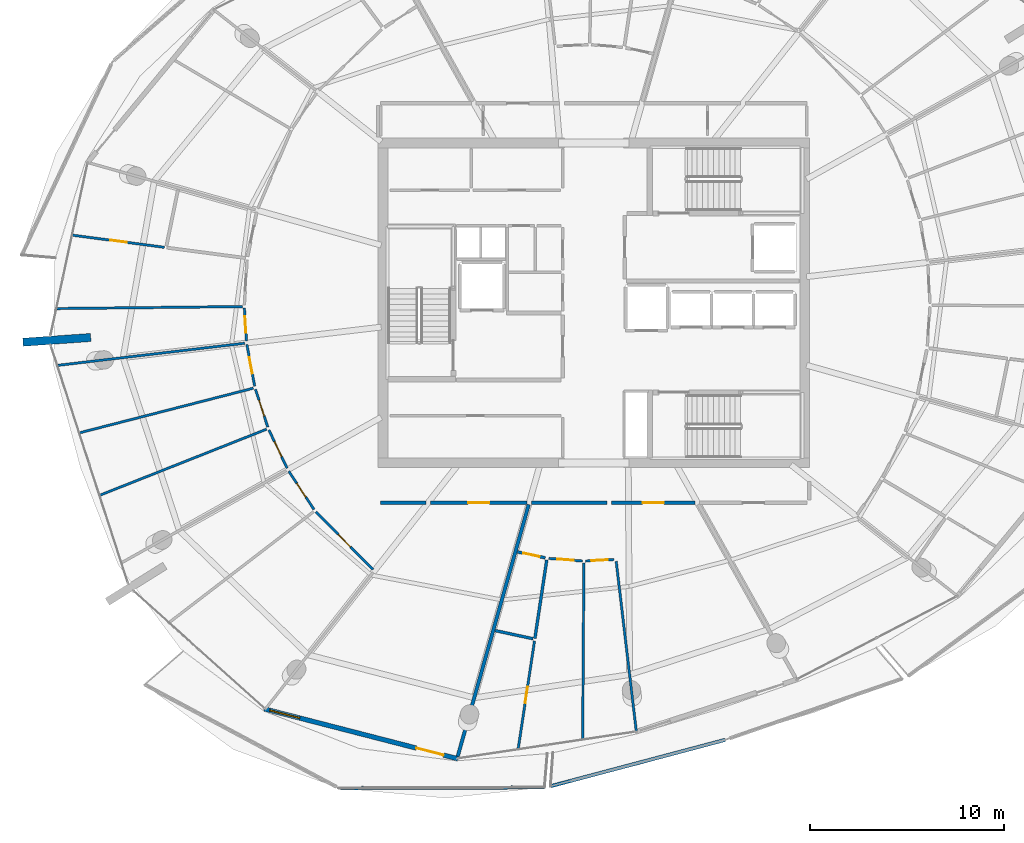
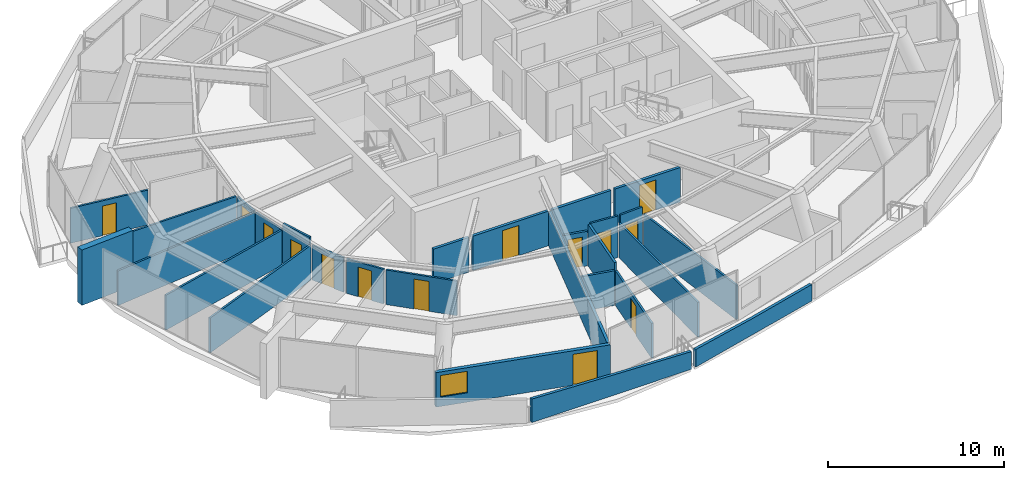
# One storey, part 14 of 24: 28 walls, 14 doors, 1 window, 15 openings.
"""IFC4 building model written with IfcOpenShell, lengths in metres."""

import ifcopenshell
import ifcopenshell.guid

model = None  # the IFC model being written
_history = None  # IfcOwnerHistory: only IFC2X3 demands one
_inside = {}  # id of a spatial element -> (the spatial element, [elements in it])
_under = {}  # id of a project, library or spatial element -> (it, [spatial elements below it])
_declared = {}  # id of a project -> (the project, [libraries it declares])
_typed = {}  # id of a type object -> (the type object, [elements of that type])
_made_of = {}  # id of a material, layer set ... -> (it, [elements and type objects made of it])


def new_model(schema):
    """Start an empty IFC model of exactly this schema.

    Asked for "IFC4X3", IfcOpenShell would pick the latest addendum, in which some entities
    have other attributes; the version numbers below select the first issue.
    IFC2X3 requires an IfcOwnerHistory on every rooted entity: one is made here for all.
    """
    global model, _history
    if schema == "IFC4X3":
        model = ifcopenshell.file(schema_version=(4, 3, 0, 0))
    else:
        model = ifcopenshell.file(schema=schema)
    _inside.clear()
    _under.clear()
    _declared.clear()
    _typed.clear()
    _made_of.clear()
    _history = None
    if model.schema == "IFC2X3":
        org = make("IfcOrganization", Name="unknown")
        user = make(
            "IfcPersonAndOrganization",
            ThePerson=make("IfcPerson", FamilyName="unknown"),
            TheOrganization=org,
        )
        app = make(
            "IfcApplication",
            ApplicationDeveloper=org,
            Version="unknown",
            ApplicationFullName="unknown",
            ApplicationIdentifier="unknown",
        )
        _history = make(
            "IfcOwnerHistory",
            OwningUser=user,
            OwningApplication=app,
            ChangeAction="ADDED",
            CreationDate=0,
        )
    return model


def make(cls, **values):
    """One entity of the class cls with the attributes given. An attribute that is None is left unset."""
    return model.create_entity(
        cls, **{name: value for name, value in values.items() if value is not None}
    )


def rooted(cls, **values):
    """An entity with a GlobalId (a new one), such as an element, a storey or a relation."""
    return make(cls, GlobalId=ifcopenshell.guid.new(), OwnerHistory=_history, **values)


def si_unit(unit_type, name, prefix=None):
    """IfcSIUnit, for example si_unit("LENGTHUNIT", "METRE", prefix="MILLI")."""
    return make("IfcSIUnit", UnitType=unit_type, Prefix=prefix, Name=name)


def assignment(units):
    """IfcUnitAssignment: the units of a project."""
    return None if units is None else make("IfcUnitAssignment", Units=units)


def point(xyz):
    """IfcCartesianPoint."""
    return None if xyz is None else make("IfcCartesianPoint", Coordinates=xyz)


def direction(xyz):
    """IfcDirection."""
    return None if xyz is None else make("IfcDirection", DirectionRatios=xyz)


def frame(location, z_axis=None, x_axis=None):
    """IfcAxis2Placement3D, a coordinate frame: its origin and axes. An axis left out is left unset."""
    return make(
        "IfcAxis2Placement3D",
        Location=point(location),
        Axis=direction(z_axis),
        RefDirection=direction(x_axis),
    )


def frame_2d(location, x_axis=None):
    """IfcAxis2Placement2D, a coordinate frame in the plane: its origin and x axis."""
    return make(
        "IfcAxis2Placement2D", Location=point(location), RefDirection=direction(x_axis)
    )


def origin():
    """The frame at (0, 0, 0) with its axes left unset."""
    return frame((0.0, 0.0, 0.0))


def place(relative_to, where):
    """IfcLocalPlacement: puts the frame where relative to a parent placement (None: the world)."""
    return make(
        "IfcLocalPlacement", PlacementRelTo=relative_to, RelativePlacement=where
    )


def context(
    kind, dimensions, precision=None, world=None, true_north=None, identifier=None
):
    """IfcGeometricRepresentationContext, for example the 3D "Model" context."""
    return make(
        "IfcGeometricRepresentationContext",
        ContextIdentifier=identifier,
        ContextType=kind,
        CoordinateSpaceDimension=dimensions,
        Precision=precision,
        WorldCoordinateSystem=world,
        TrueNorth=true_north,
    )


def subcontext(parent, identifier, kind, view, scale=None):
    """IfcGeometricRepresentationSubContext, for example "Body" below "Model"."""
    return make(
        "IfcGeometricRepresentationSubContext",
        ContextIdentifier=identifier,
        ContextType=kind,
        ParentContext=parent,
        TargetScale=scale,
        TargetView=view,
    )


def project(units=None, contexts=None):
    """IfcProject with its units and contexts."""
    return rooted(
        "IfcProject",
        Name="project",
        RepresentationContexts=contexts,
        UnitsInContext=assignment(units),
    )


def spatial(cls, under=None, at=None, **own):
    """A site, building, storey or space (cls), placed at a placement, below another one or the project."""
    s = rooted(cls, ObjectPlacement=at, **own)
    if under is not None:
        _under.setdefault(under.id(), (under, []))[1].append(s)
    return s


def polyline(points):
    """IfcPolyline through the points."""
    return make("IfcPolyline", Points=[point(p) for p in points])


def profile(cls, at=None, kind="AREA", **sizes):
    """A parametric profile (cls). Its sizes go by their IFC names, for example OverallWidth=200.0."""
    return make(cls, ProfileType=kind, Position=at, **sizes)


def rectangle(**sizes):
    """IfcRectangleProfileDef."""
    return profile("IfcRectangleProfileDef", **sizes)


def outline(outer, holes=None, kind="AREA"):
    """IfcArbitraryClosedProfileDef: a profile drawn as a closed curve; with holes, ...WithVoids."""
    if holes is None:
        return make("IfcArbitraryClosedProfileDef", ProfileType=kind, OuterCurve=outer)
    return make(
        "IfcArbitraryProfileDefWithVoids",
        ProfileType=kind,
        OuterCurve=outer,
        InnerCurves=holes,
    )


def extrude(swept, where, along, depth):
    """IfcExtrudedAreaSolid: the profile swept, set in the frame where, extruded along a direction by depth."""
    return make(
        "IfcExtrudedAreaSolid",
        SweptArea=swept,
        Position=where,
        ExtrudedDirection=direction(along),
        Depth=depth,
    )


def shape(context_of_items, identifier, shape_type, items):
    """IfcShapeRepresentation: the items that make up one representation, for example the "Body"."""
    return make(
        "IfcShapeRepresentation",
        ContextOfItems=context_of_items,
        RepresentationIdentifier=identifier,
        RepresentationType=shape_type,
        Items=items,
    )


def material(Name=None, Category=None):
    """IfcMaterial."""
    return make("IfcMaterial", Name=Name, Category=Category)


def layer(
    of_material, thickness, ventilated=None, Name=None, Category=None, Priority=None
):
    """IfcMaterialLayer: one layer of a wall or slab, of a material (None: an air gap)."""
    return make(
        "IfcMaterialLayer",
        Material=of_material,
        LayerThickness=thickness,
        IsVentilated=ventilated,
        Name=Name,
        Category=Category,
        Priority=Priority,
    )


def layer_set(layers, Name=None):
    """IfcMaterialLayerSet."""
    return make("IfcMaterialLayerSet", MaterialLayers=layers, LayerSetName=Name)


def made_of(thing, what):
    """Note that an element or type object is made of a material, layer set ...; save() writes the relation."""
    if what is not None:
        _made_of.setdefault(what.id(), (what, []))[1].append(thing)
    return thing


def type_object(cls, material=None, **own):
    """A type object (cls), such as IfcWallType, which elements share."""
    return made_of(rooted(cls, **own), material)


def element(
    cls,
    number,
    at=None,
    inside=None,
    cuts=None,
    type_object=None,
    material=None,
    context=None,
    identifier="Body",
    shape_type=None,
    held_by="IfcProductDefinitionShape",
    body=None,
    shapes=None,
    **own,
):
    """One element of the class cls, such as IfcWall. Its Tag is "e" and its number.

    at: its placement. inside: the storey or other place that contains it. cuts: it is an
    opening in that element (IfcRelVoidsElement). A single representation is given by context,
    identifier, shape_type and body (its items); several are given by shapes. held_by: the class
    of the entity that holds the representations. save() writes the other relations.
    """
    e = rooted(cls, Tag="e%d" % number, ObjectPlacement=at, **own)
    if body is not None:
        shapes = [shape(context, identifier, shape_type, body)]
    if shapes is not None:
        e.Representation = make(held_by, Representations=shapes)
    if inside is not None:
        _inside.setdefault(inside.id(), (inside, []))[1].append(e)
    if cuts is not None:
        rooted(
            "IfcRelVoidsElement", RelatingBuildingElement=cuts, RelatedOpeningElement=e
        )
    if type_object is not None:
        _typed.setdefault(type_object.id(), (type_object, []))[1].append(e)
    return made_of(e, material)


def fill(opening, filler):
    """IfcRelFillsElement: the door or window that sits in an opening."""
    return rooted(
        "IfcRelFillsElement",
        RelatingOpeningElement=opening,
        RelatedBuildingElement=filler,
    )


def aggregate(whole, parts):
    """IfcRelAggregates: a whole, such as a stair, and the parts it consists of."""
    return rooted("IfcRelAggregates", RelatingObject=whole, RelatedObjects=parts)


def save(model, path):
    """Write the relations noted so far, then the file.

    IfcRelAggregates (storeys below a building ...), IfcRelContainedInSpatialStructure (elements
    in a storey), IfcRelDefinesByType, IfcRelAssociatesMaterial and IfcRelDeclares: one each for
    every whole, place, type object, material and project.
    """
    for whole, parts in _under.values():
        aggregate(whole, parts)
    for where, things in _inside.values():
        rooted(
            "IfcRelContainedInSpatialStructure",
            RelatedElements=things,
            RelatingStructure=where,
        )
    for kind, things in _typed.values():
        rooted("IfcRelDefinesByType", RelatedObjects=things, RelatingType=kind)
    for what, things in _made_of.values():
        rooted("IfcRelAssociatesMaterial", RelatedObjects=things, RelatingMaterial=what)
    for by, libraries in _declared.values():
        rooted("IfcRelDeclares", RelatingContext=by, RelatedDefinitions=libraries)
    model.write(path)


model = new_model("IFC4")

# Units and contexts
model_context = context("Model", 3, precision=1e-05, world=origin(), true_north=direction((0.0, 1.0)))
body_context = subcontext(model_context, "Body", "Model", "MODEL_VIEW")
ifc_project = project(units=[si_unit("LENGTHUNIT", "METRE"), si_unit("AREAUNIT", "SQUARE_METRE"), si_unit("VOLUMEUNIT", "CUBIC_METRE"), si_unit("PLANEANGLEUNIT", "RADIAN"), si_unit("MASSUNIT", "GRAM", prefix="KILO")], contexts=[model_context])

# Site, building, storey
site_placement = place(None, origin())
site = spatial("IfcSite", under=ifc_project, at=site_placement, CompositionType="ELEMENT")
building_placement = place(site_placement, origin())
building = spatial("IfcBuilding", under=site, at=building_placement, Name="Kazma Halo Residences", CompositionType="ELEMENT")
storey_placement = place(building_placement, frame((0.0, 0.0, 309.85009765625)))
storey = spatial("IfcBuildingStorey", under=building, at=storey_placement, Name="L78", CompositionType="ELEMENT", Elevation=309.85009765625)

# Walls
ifc_material_1 = material(Name="White Concrete C50/60 Balustrade", Category="concrete")
ifc_layer_1 = layer(ifc_material_1, 0.179931640625)
ifc_layer_set_1 = layer_set([ifc_layer_1], Name="White Concrete C50/60 Balustrade")
wall_type_1 = type_object("IfcWallType", Name="WL-BAL-WAVE-180", PredefinedType="PARAPET", material=ifc_layer_set_1)
wall_1_placement = place(storey_placement, frame((35.365478515625, 16.968017578125, 0.0), z_axis=(0.0, 0.0, 1.0), x_axis=(0.999994409086, 0.003343919256, 0.0)))
element("IfcWall", 1, at=wall_1_placement, inside=storey, type_object=wall_type_1, Name="L78 white wave balustrade wall SW.2", PredefinedType="PARAPET", context=body_context, shape_type="SweptSolid", body=[
    extrude(outline(polyline([(0.0, 0.0), (10.513427734375, 0.0), (10.513671875, 1.23291015625), (5.2568359375, 1.41796875), (0.0, 1.6318359375), (0.0, 0.0)])), frame((0.0, 0.08984375, 0.0), z_axis=(0.0, -1.0, 0.0), x_axis=(1.0, 0.0, 0.0)), (0.0, 0.0, 1.0), 0.179931640625),
])
wall_2_placement = place(storey_placement, frame((46.190673828125, 17.0625, 0.0), z_axis=(0.0, 0.0, 1.0), x_axis=(0.966529487424, 0.256555549425, 0.0)))
element("IfcWall", 2, at=wall_2_placement, inside=storey, type_object=wall_type_1, Name="L78 white wave balustrade wall SSE.1", PredefinedType="PARAPET", context=body_context, shape_type="SweptSolid", body=[
    extrude(outline(polyline([(0.0, 0.0), (9.321044921875, 0.0), (9.321044921875, 1.14794921875), (4.660400390625, 1.126953125), (0.0, 1.223876953125), (0.0, 0.0)])), frame((0.0, 0.08984375, 0.0), z_axis=(0.0, -1.0, 0.0), x_axis=(1.0, 0.0, 0.0)), (0.0, 0.0, 1.0), 0.179931640625),
])
ifc_material_2 = material(Name="Pale Concrete C60/75", Category="concrete")
ifc_layer_2 = layer(ifc_material_2, 0.419921875)
ifc_layer_set_2 = layer_set([ifc_layer_2], Name="Pale Concrete C60/75")
wall_type_2 = type_object("IfcWallType", Name="WL-BLADE-420", PredefinedType="SOLIDWALL", material=ifc_layer_set_2)
wall_3_placement = place(storey_placement, frame((22.465576171875, 40.214599609375, 0.0), z_axis=(0.0, 0.0, 1.0), x_axis=(-0.99755930726, -0.069824268692, 0.0)))
element("IfcWall", 3, at=wall_3_placement, inside=storey, type_object=wall_type_2, Name="L78 pale concrete structural blade fin wall BW-02", PredefinedType="SOLIDWALL", context=body_context, shape_type="SweptSolid", body=[
    extrude(rectangle(XDim=3.5, YDim=0.419921875, at=frame_2d((1.75, 0.0))), origin(), (0.0, 0.0, 1.0), 3.849853515625),
])
ifc_material_3 = material(Name="Acoustic Twin-Stud Gypsum")
ifc_layer_3 = layer(ifc_material_3, 0.179931640625)
ifc_layer_set_3 = layer_set([ifc_layer_3], Name="Acoustic Twin-Stud Gypsum")
wall_type_3 = type_object("IfcWallType", Name="WL-DEM-180", PredefinedType="PARTITIONING", material=ifc_layer_set_3)
wall_4_placement = place(storey_placement, frame((45.065185546875, 31.593994140625, 0.0), z_axis=(0.0, 0.0, 1.0), x_axis=(-0.271447701057, -0.962453191376, 0.0)))
element("IfcWall", 4, at=wall_4_placement, inside=storey, type_object=wall_type_3, Name="L78 apartment demising radial wall 10", PredefinedType="PARTITIONING", context=body_context, shape_type="SweptSolid", body=[
    extrude(rectangle(XDim=13.491943359375, YDim=0.179931640625, at=frame_2d((6.74609375, 0.0))), origin(), (0.0, 0.0, 1.0), 2.406982421875),
])

# Wall, opening, door
wall_5_placement = place(storey_placement, frame((40.0, 31.699951171875, 0.0), z_axis=(0.0, 0.0, 1.0), x_axis=(1.0, 0.0, 0.0)))
wall_5 = element("IfcWall", 5, at=wall_5_placement, inside=storey, type_object=wall_type_3, Name="L78 Apartment 2 entrance corridor wall", PredefinedType="PARTITIONING", context=body_context, shape_type="SweptSolid", body=[
    extrude(rectangle(XDim=4.97509765625, YDim=0.179931640625, at=frame_2d((2.487548828125, 0.0))), origin(), (0.0, 0.0, 1.0), 2.406982421875),
])
opening_1_placement = place(wall_5_placement, frame((1.9375, 0.0, 0.0)))
opening_1 = element("IfcOpeningElement", 6, at=opening_1_placement, cuts=wall_5, Name="Opening DA-1100", PredefinedType="OPENING", context=body_context, shape_type="SweptSolid", body=[
    extrude(rectangle(XDim=1.10009765625, YDim=2.10009765625, at=frame_2d((0.550048828125, 1.050048828125))), frame((0.0, 0.099853515625, 0.0), z_axis=(0.0, -1.0, 0.0), x_axis=(1.0, 0.0, 0.0)), (0.0, 0.0, 1.0), 0.199951171875),
])
ifc_material_4 = material(Name="Acoustic Walnut Fire Leaf")
door_type_1 = type_object("IfcDoorType", Name="DR-FD60-1100", OperationType="NOTDEFINED", PredefinedType="DOOR", material=ifc_material_4)
door_1_placement = place(opening_1_placement, origin())
door_1 = element("IfcDoor", 7, at=door_1_placement, inside=storey, type_object=door_type_1, Name="L78 Apartment 2 entrance fire door", OperationType="SINGLE_SWING_LEFT", OverallHeight=2.10009765625, OverallWidth=1.10009765625, PredefinedType="DOOR", context=body_context, shape_type="SweptSolid", body=[
    extrude(rectangle(XDim=1.10009765625, YDim=2.10009765625, at=frame_2d((0.550048828125, 1.050048828125))), frame((0.0, 0.02490234375, 0.0), z_axis=(0.0, -1.0, 0.0), x_axis=(1.0, 0.0, 0.0)), (0.0, 0.0, 1.0), 0.050048828125),
])
fill(opening_1, door_1)

# Wall
wall_6_placement = place(storey_placement, frame((37.419921875, 31.699951171875, 0.0), z_axis=(0.0, 0.0, 1.0), x_axis=(1.0, 0.0, 0.0)))
element("IfcWall", 8, at=wall_6_placement, inside=storey, type_object=wall_type_3, Name="L78 Apartment 2 inner wall 8", PredefinedType="PARTITIONING", context=body_context, shape_type="SweptSolid", body=[
    extrude(rectangle(XDim=2.340087890625, YDim=0.179931640625, at=frame_2d((1.169921875, 0.0))), origin(), (0.0, 0.0, 1.0), 2.406982421875),
])

# Wall, opening, door
wall_7_placement = place(storey_placement, frame((49.339111328125, 31.699951171875, 0.0), z_axis=(0.0, 0.0, 1.0), x_axis=(1.0, 0.0, 0.0)))
wall_7 = element("IfcWall", 9, at=wall_7_placement, inside=storey, type_object=wall_type_3, Name="L78 Apartment 3 entrance corridor wall", PredefinedType="PARTITIONING", context=body_context, shape_type="SweptSolid", body=[
    extrude(rectangle(XDim=4.30908203125, YDim=0.179931640625, at=frame_2d((2.154541015625, 0.0))), origin(), (0.0, 0.0, 1.0), 2.406982421875),
])
opening_2_placement = place(wall_7_placement, frame((1.6044921875, 0.0, 0.0)))
opening_2 = element("IfcOpeningElement", 10, at=opening_2_placement, cuts=wall_7, Name="Opening DA-1100", PredefinedType="OPENING", context=body_context, shape_type="SweptSolid", body=[
    extrude(rectangle(XDim=1.10009765625, YDim=2.10009765625, at=frame_2d((0.550048828125, 1.050048828125))), frame((0.0, 0.099853515625, 0.0), z_axis=(0.0, -1.0, 0.0), x_axis=(1.0, 0.0, 0.0)), (0.0, 0.0, 1.0), 0.199951171875),
])
door_2_placement = place(opening_2_placement, origin())
door_2 = element("IfcDoor", 11, at=door_2_placement, inside=storey, type_object=door_type_1, Name="L78 Apartment 3 entrance fire door", OperationType="SINGLE_SWING_RIGHT", OverallHeight=2.10009765625, OverallWidth=1.10009765625, PredefinedType="DOOR", context=body_context, shape_type="SweptSolid", body=[
    extrude(rectangle(XDim=1.10009765625, YDim=2.10009765625, at=frame_2d((0.550048828125, 1.050048828125))), frame((0.0, 0.02490234375, 0.0), z_axis=(0.0, -1.0, 0.0), x_axis=(1.0, 0.0, 0.0)), (0.0, 0.0, 1.0), 0.050048828125),
])
fill(opening_2, door_2)

# Wall
wall_8_placement = place(storey_placement, frame((45.215087890625, 31.699951171875, 0.0), z_axis=(0.0, 0.0, 1.0), x_axis=(1.0, 0.0, 0.0)))
element("IfcWall", 12, at=wall_8_placement, inside=storey, type_object=wall_type_3, Name="L78 Apartment 3 inner wall 10", PredefinedType="PARTITIONING", context=body_context, shape_type="SweptSolid", body=[
    extrude(rectangle(XDim=3.884033203125, YDim=0.179931640625, at=frame_2d((1.94189453125, 0.0))), origin(), (0.0, 0.0, 1.0), 2.406982421875),
])

# Wall, openings, door, window
ifc_material_5 = material(Name="Insulated Pale-Metal Composite Wall")
ifc_layer_4 = layer(ifc_material_5, 0.239990234375)
ifc_layer_set_4 = layer_set([ifc_layer_4], Name="Insulated Pale-Metal Composite Wall")
wall_type_4 = type_object("IfcWallType", Name="WL-EXT-HOST-240", PredefinedType="SOLIDWALL", material=ifc_layer_set_4)
wall_9_placement = place(storey_placement, frame((31.42626953125, 21.05029296875, 0.0), z_axis=(0.0, 0.0, 1.0), x_axis=(0.968369046262, -0.249522324133, 0.0)))
wall_9 = element("IfcWall", 13, at=wall_9_placement, inside=storey, type_object=wall_type_4, Name="L78 exterior terrace-access wall B10", PredefinedType="SOLIDWALL", context=body_context, shape_type="SweptSolid", body=[
    extrude(rectangle(XDim=10.317626953125, YDim=0.239990234375, at=frame_2d((5.15869140625, 0.0))), origin(), (0.0, 0.0, 1.0), 2.39990234375),
])
opening_3_placement = place(wall_9_placement, frame((8.097412109375, 0.0, 0.0)))
opening_3 = element("IfcOpeningElement", 14, at=opening_3_placement, cuts=wall_9, Name="Opening DTR-1600", PredefinedType="OPENING", context=body_context, shape_type="SweptSolid", body=[
    extrude(rectangle(XDim=1.449951171875, YDim=2.14990234375, at=frame_2d((0.72509765625, 1.074951171875))), frame((0.0, 0.1298828125, 0.0), z_axis=(0.0, -1.0, 0.0), x_axis=(1.0, 0.0, 0.0)), (0.0, 0.0, 1.0), 0.260009765625),
])
opening_4_placement = place(wall_9_placement, frame((0.280029296875, 0.0, 0.64990234375)))
opening_4 = element("IfcOpeningElement", 15, at=opening_4_placement, cuts=wall_9, Name="Opening W-1800", PredefinedType="OPENING", context=body_context, shape_type="SweptSolid", body=[
    extrude(rectangle(XDim=1.60009765625, YDim=1.5, at=frame_2d((0.800048828125, 0.75))), frame((0.0, 0.1298828125, 0.0), z_axis=(0.0, -1.0, 0.0), x_axis=(1.0, 0.0, 0.0)), (0.0, 0.0, 1.0), 0.260009765625),
])
ifc_material_6 = material(Name="Aluminium AW-6063 T6 Double-Glazed Terrace Door", Category="aluminium")
door_type_2 = type_object("IfcDoorType", Name="DR-EXT-TERR-1600", OperationType="NOTDEFINED", PredefinedType="DOOR", material=ifc_material_6)
door_3_placement = place(opening_3_placement, origin())
door_3 = element("IfcDoor", 16, at=door_3_placement, inside=storey, type_object=door_type_2, Name="L78 B10 balcony terrace door", OperationType="DOUBLE_DOOR_SLIDING", OverallHeight=2.14990234375, OverallWidth=1.449951171875, PredefinedType="DOOR", context=body_context, shape_type="SweptSolid", body=[
    extrude(rectangle(XDim=1.449951171875, YDim=2.14990234375, at=frame_2d((0.72509765625, 1.074951171875))), frame((0.0, 0.02490234375, 0.0), z_axis=(0.0, -1.0, 0.0), x_axis=(1.0, 0.0, 0.0)), (0.0, 0.0, 1.0), 0.050048828125),
])
fill(opening_3, door_3)
ifc_material_7 = material(Name="Clear Triple-Silver Low-E Glass in Aluminium AW-6063 T6 Frame", Category="aluminium")
window_type = type_object("IfcWindowType", Name="WIN-RES-1800", PartitioningType="DOUBLE_PANEL_VERTICAL", PredefinedType="WINDOW", material=ifc_material_7)
window_placement = place(opening_4_placement, origin())
window = element("IfcWindow", 17, at=window_placement, inside=storey, type_object=window_type, Name="L78 B10 apartment window", OverallHeight=1.5, OverallWidth=1.60009765625, PartitioningType="SINGLE_PANEL", PredefinedType="WINDOW", context=body_context, shape_type="SweptSolid", body=[
    extrude(rectangle(XDim=1.60009765625, YDim=1.5, at=frame_2d((0.800048828125, 0.75))), frame((0.0, 0.030029296875, 0.0), z_axis=(0.0, -1.0, 0.0), x_axis=(1.0, 0.0, 0.0)), (0.0, 0.0, 1.0), 0.06005859375),
])
fill(opening_4, window)

# Wall, opening, door
ifc_material_8 = material(Name="Gypsum Plasterboard Partition")
ifc_layer_5 = layer(ifc_material_8, 0.125)
ifc_layer_set_5 = layer_set([ifc_layer_5], Name="Gypsum Plasterboard Partition")
wall_type_5 = type_object("IfcWallType", Name="WL-PART-125", PredefinedType="PARTITIONING", material=ifc_layer_set_5)
wall_10_placement = place(storey_placement, frame((26.266357421875, 44.8671875, 0.0), z_axis=(0.0, 0.0, 1.0), x_axis=(-0.991413024235, 0.130767791816, 0.0)))
wall_10 = element("IfcWall", 18, at=wall_10_placement, inside=storey, type_object=wall_type_5, Name="L78 Apartment 2 West Walk-In Wardrobe partition wall", PredefinedType="PARTITIONING", context=body_context, shape_type="SweptSolid", body=[
    extrude(rectangle(XDim=4.777587890625, YDim=0.125, at=frame_2d((2.388671875, 0.0))), origin(), (0.0, 0.0, 1.0), 2.4248046875),
])
opening_5_placement = place(wall_10_placement, frame((1.963623046875, 0.0, 0.0)))
opening_5 = element("IfcOpeningElement", 19, at=opening_5_placement, cuts=wall_10, Name="Opening DB-900", PredefinedType="OPENING", context=body_context, shape_type="SweptSolid", body=[
    extrude(rectangle(XDim=0.85009765625, YDim=2.06005859375, at=frame_2d((0.425048828125, 1.030029296875))), frame((0.0, 0.072509765625, 0.0), z_axis=(0.0, -1.0, 0.0), x_axis=(1.0, 0.0, 0.0)), (0.0, 0.0, 1.0), 0.14501953125),
])
ifc_material_9 = material(Name="Moisture-Sealed Timber Leaf", Category="wood")
door_type_3 = type_object("IfcDoorType", Name="DR-BTH-900", OperationType="NOTDEFINED", PredefinedType="DOOR", material=ifc_material_9)
door_4_placement = place(opening_5_placement, origin())
door_4 = element("IfcDoor", 20, at=door_4_placement, inside=storey, type_object=door_type_3, Name="L78 Apartment 2 West Walk-In Wardrobe door", OperationType="SINGLE_SWING_RIGHT", OverallHeight=2.06005859375, OverallWidth=0.85009765625, PredefinedType="DOOR", context=body_context, shape_type="SweptSolid", body=[
    extrude(rectangle(XDim=0.85009765625, YDim=2.06005859375, at=frame_2d((0.425048828125, 1.030029296875))), frame((0.0, 0.02490234375, 0.0), z_axis=(0.0, -1.0, 0.0), x_axis=(1.0, 0.0, 0.0)), (0.0, 0.0, 1.0), 0.050048828125),
])
fill(opening_5, door_4)

# Wall
wall_11_placement = place(storey_placement, frame((30.299072265625, 41.8095703125, 0.0), z_axis=(0.0, 0.0, 1.0), x_axis=(-0.999942194861, -0.010752066611, 0.0)))
element("IfcWall", 21, at=wall_11_placement, inside=storey, type_object=wall_type_5, Name="L78 Apartment 2 suite divider 6", PredefinedType="PARTITIONING", context=body_context, shape_type="SweptSolid", body=[
    extrude(rectangle(XDim=9.58203125, YDim=0.125, at=frame_2d((4.791015625, 0.0))), origin(), (0.0, 0.0, 1.0), 2.4248046875),
])

# Wall, opening, door
wall_12_placement = place(storey_placement, frame((30.39404296875, 41.730712890625, 0.0), z_axis=(0.0, 0.0, 1.0), x_axis=(0.064313257073, -0.997929759535, 0.0)))
wall_12 = element("IfcWall", 22, at=wall_12_placement, inside=storey, type_object=wall_type_5, Name="L78 Apartment 2 South Master Bedroom hall wall", PredefinedType="PARTITIONING", context=body_context, shape_type="SweptSolid", body=[
    extrude(rectangle(XDim=1.704345703125, YDim=0.125, at=frame_2d((0.85205078125, 0.0))), origin(), (0.0, 0.0, 1.0), 2.406982421875),
])
opening_6_placement = place(wall_12_placement, frame((0.42724609375, 0.0, 0.0)))
opening_6 = element("IfcOpeningElement", 23, at=opening_6_placement, cuts=wall_12, Name="Opening DB-900", PredefinedType="OPENING", context=body_context, shape_type="SweptSolid", body=[
    extrude(rectangle(XDim=0.85009765625, YDim=2.06005859375, at=frame_2d((0.425048828125, 1.030029296875))), frame((0.0, 0.072509765625, 0.0), z_axis=(0.0, -1.0, 0.0), x_axis=(1.0, 0.0, 0.0)), (0.0, 0.0, 1.0), 0.14501953125),
])
door_5_placement = place(opening_6_placement, origin())
door_5 = element("IfcDoor", 24, at=door_5_placement, inside=storey, type_object=door_type_3, Name="L78 Apartment 2 South Master Bedroom door", OperationType="SINGLE_SWING_RIGHT", OverallHeight=2.06005859375, OverallWidth=0.85009765625, PredefinedType="DOOR", context=body_context, shape_type="SweptSolid", body=[
    extrude(rectangle(XDim=0.85009765625, YDim=2.06005859375, at=frame_2d((0.425048828125, 1.030029296875))), frame((0.0, 0.02490234375, 0.0), z_axis=(0.0, -1.0, 0.0), x_axis=(1.0, 0.0, 0.0)), (0.0, 0.0, 1.0), 0.050048828125),
])
fill(opening_6, door_5)

# Walls
wall_13_placement = place(storey_placement, frame((30.410888671875, 39.918212890625, 0.0), z_axis=(0.0, 0.0, 1.0), x_axis=(-0.993067961314, -0.117541585028, 0.0)))
element("IfcWall", 25, at=wall_13_placement, inside=storey, type_object=wall_type_5, Name="L78 Apartment 2 radial partition 7", PredefinedType="PARTITIONING", context=body_context, shape_type="SweptSolid", body=[
    extrude(rectangle(XDim=9.708251953125, YDim=0.125, at=frame_2d((4.85400390625, 0.0))), origin(), (0.0, 0.0, 1.0), 2.406982421875),
])
for number, where, z_axis, x_axis, name in (
    (26, (30.85400390625, 37.59765625, 0.0), (0.0, 0.0, 1.0), (-0.968583326561, -0.248689242846, 0.0), "L78 Apartment 2 bay wall 1 7"),
    (27, (31.541015625, 35.4833984375, 0.0), (0.0, 0.0, 1.0), (-0.929778742412, -0.368118853305, 0.0), "L78 Apartment 2 bay wall 2 7"),
):
    element("IfcWall", number, at=place(storey_placement, frame(where, z_axis=z_axis, x_axis=x_axis)), inside=storey, type_object=wall_type_5, Name=name, PredefinedType="PARTITIONING", context=body_context, shape_type="SweptSolid", body=[
        extrude(rectangle(XDim=9.243896484375, YDim=0.125, at=frame_2d((4.6220703125, 0.0))), origin(), (0.0, 0.0, 1.0), 2.4248046875),
    ])

# Wall, opening, door
wall_14_placement = place(storey_placement, frame((30.52490234375, 39.851318359375, 0.0), z_axis=(0.0, 0.0, 1.0), x_axis=(0.183406611342, -0.983037138116, 0.0)))
wall_14 = element("IfcWall", 28, at=wall_14_placement, inside=storey, type_object=wall_type_5, Name="L78 Apartment 2 Inner Bedroom hall wall", PredefinedType="PARTITIONING", context=body_context, shape_type="SweptSolid", body=[
    extrude(rectangle(XDim=2.189697265625, YDim=0.125, at=frame_2d((1.0947265625, 0.0))), origin(), (0.0, 0.0, 1.0), 2.406982421875),
])
opening_7_placement = place(wall_14_placement, frame((0.669921875, 0.0, 0.0)))
opening_7 = element("IfcOpeningElement", 29, at=opening_7_placement, cuts=wall_14, Name="Opening DB-900", PredefinedType="OPENING", context=body_context, shape_type="SweptSolid", body=[
    extrude(rectangle(XDim=0.85009765625, YDim=2.06005859375, at=frame_2d((0.425048828125, 1.030029296875))), frame((0.0, 0.072509765625, 0.0), z_axis=(0.0, -1.0, 0.0), x_axis=(1.0, 0.0, 0.0)), (0.0, 0.0, 1.0), 0.14501953125),
])
door_6_placement = place(opening_7_placement, origin())
door_6 = element("IfcDoor", 30, at=door_6_placement, inside=storey, type_object=door_type_3, Name="L78 Apartment 2 Inner Bedroom door", OperationType="SINGLE_SWING_LEFT", OverallHeight=2.06005859375, OverallWidth=0.85009765625, PredefinedType="DOOR", context=body_context, shape_type="SweptSolid", body=[
    extrude(rectangle(XDim=0.85009765625, YDim=2.06005859375, at=frame_2d((0.425048828125, 1.030029296875))), frame((0.0, 0.02490234375, 0.0), z_axis=(0.0, -1.0, 0.0), x_axis=(1.0, 0.0, 0.0)), (0.0, 0.0, 1.0), 0.050048828125),
])
fill(opening_7, door_6)

wall_15_placement = place(storey_placement, frame((30.966064453125, 37.5439453125, 0.0), z_axis=(0.0, 0.0, 1.0), x_axis=(0.309043019446, -0.951048059843, 0.0)))
wall_15 = element("IfcWall", 31, at=wall_15_placement, inside=storey, type_object=wall_type_5, Name="L78 Apartment 2 Outer Study hall wall", PredefinedType="PARTITIONING", context=body_context, shape_type="SweptSolid", body=[
    extrude(rectangle(XDim=2.051513671875, YDim=0.125, at=frame_2d((1.02587890625, 0.0))), origin(), (0.0, 0.0, 1.0), 2.889892578125),
])
opening_8_placement = place(wall_15_placement, frame((0.600830078125, 0.0, 0.0)))
opening_8 = element("IfcOpeningElement", 32, at=opening_8_placement, cuts=wall_15, Name="Opening DB-900", PredefinedType="OPENING", context=body_context, shape_type="SweptSolid", body=[
    extrude(rectangle(XDim=0.85009765625, YDim=2.06005859375, at=frame_2d((0.425048828125, 1.030029296875))), frame((0.0, 0.072509765625, 0.0), z_axis=(0.0, -1.0, 0.0), x_axis=(1.0, 0.0, 0.0)), (0.0, 0.0, 1.0), 0.14501953125),
])
door_7_placement = place(opening_8_placement, origin())
door_7 = element("IfcDoor", 33, at=door_7_placement, inside=storey, type_object=door_type_3, Name="L78 Apartment 2 Outer Study door", OperationType="SINGLE_SWING_RIGHT", OverallHeight=2.06005859375, OverallWidth=0.85009765625, PredefinedType="DOOR", context=body_context, shape_type="SweptSolid", body=[
    extrude(rectangle(XDim=0.85009765625, YDim=2.06005859375, at=frame_2d((0.425048828125, 1.030029296875))), frame((0.0, 0.02490234375, 0.0), z_axis=(0.0, -1.0, 0.0), x_axis=(1.0, 0.0, 0.0)), (0.0, 0.0, 1.0), 0.050048828125),
])
fill(opening_8, door_7)

wall_16_placement = place(storey_placement, frame((31.6591796875, 35.4443359375, 0.0), z_axis=(0.0, 0.0, 1.0), x_axis=(0.4293751885, -0.903126207958, 0.0)))
wall_16 = element("IfcWall", 34, at=wall_16_placement, inside=storey, type_object=wall_type_5, Name="L78 Apartment 2 Corner Bedroom hall wall", PredefinedType="PARTITIONING", context=body_context, shape_type="SweptSolid", body=[
    extrude(rectangle(XDim=2.189697265625, YDim=0.125, at=frame_2d((1.0947265625, 0.0))), origin(), (0.0, 0.0, 1.0), 2.406982421875),
])
opening_9_placement = place(wall_16_placement, frame((0.669921875, 0.0, 0.0)))
opening_9 = element("IfcOpeningElement", 35, at=opening_9_placement, cuts=wall_16, Name="Opening DB-900", PredefinedType="OPENING", context=body_context, shape_type="SweptSolid", body=[
    extrude(rectangle(XDim=0.85009765625, YDim=2.06005859375, at=frame_2d((0.425048828125, 1.030029296875))), frame((0.0, 0.072509765625, 0.0), z_axis=(0.0, -1.0, 0.0), x_axis=(1.0, 0.0, 0.0)), (0.0, 0.0, 1.0), 0.14501953125),
])
door_8_placement = place(opening_9_placement, origin())
door_8 = element("IfcDoor", 36, at=door_8_placement, inside=storey, type_object=door_type_3, Name="L78 Apartment 2 Corner Bedroom door", OperationType="SINGLE_SWING_LEFT", OverallHeight=2.06005859375, OverallWidth=0.85009765625, PredefinedType="DOOR", context=body_context, shape_type="SweptSolid", body=[
    extrude(rectangle(XDim=0.85009765625, YDim=2.06005859375, at=frame_2d((0.425048828125, 1.030029296875))), frame((0.0, 0.02490234375, 0.0), z_axis=(0.0, -1.0, 0.0), x_axis=(1.0, 0.0, 0.0)), (0.0, 0.0, 1.0), 0.050048828125),
])
fill(opening_9, door_8)

wall_17_placement = place(storey_placement, frame((32.688720703125, 33.310791015625, 0.0), z_axis=(0.0, 0.0, 1.0), x_axis=(0.550172145672, -0.835051261975, 0.0)))
wall_17 = element("IfcWall", 37, at=wall_17_placement, inside=storey, type_object=wall_type_5, Name="L78 Apartment 2 Garden Dressing Wardrobe hall wall", PredefinedType="PARTITIONING", context=body_context, shape_type="SweptSolid", body=[
    extrude(rectangle(XDim=2.35595703125, YDim=0.125, at=frame_2d((1.177978515625, 0.0))), origin(), (0.0, 0.0, 1.0), 2.406982421875),
])
opening_10_placement = place(wall_17_placement, frame((0.7529296875, 0.0, 0.0)))
opening_10 = element("IfcOpeningElement", 38, at=opening_10_placement, cuts=wall_17, Name="Opening DB-900", PredefinedType="OPENING", context=body_context, shape_type="SweptSolid", body=[
    extrude(rectangle(XDim=0.85009765625, YDim=2.06005859375, at=frame_2d((0.425048828125, 1.030029296875))), frame((0.0, 0.072509765625, 0.0), z_axis=(0.0, -1.0, 0.0), x_axis=(1.0, 0.0, 0.0)), (0.0, 0.0, 1.0), 0.14501953125),
])
door_9_placement = place(opening_10_placement, origin())
door_9 = element("IfcDoor", 39, at=door_9_placement, inside=storey, type_object=door_type_3, Name="L78 Apartment 2 Garden Dressing Wardrobe door", OperationType="SINGLE_SWING_LEFT", OverallHeight=2.06005859375, OverallWidth=0.85009765625, PredefinedType="DOOR", context=body_context, shape_type="SweptSolid", body=[
    extrude(rectangle(XDim=0.85009765625, YDim=2.06005859375, at=frame_2d((0.425048828125, 1.030029296875))), frame((0.0, 0.02490234375, 0.0), z_axis=(0.0, -1.0, 0.0), x_axis=(1.0, 0.0, 0.0)), (0.0, 0.0, 1.0), 0.050048828125),
])
fill(opening_10, door_9)

wall_18_placement = place(storey_placement, frame((34.085205078125, 31.2197265625, 0.0), z_axis=(0.0, 0.0, 1.0), x_axis=(0.702484741941, -0.711698803806, 0.0)))
wall_18 = element("IfcWall", 40, at=wall_18_placement, inside=storey, type_object=wall_type_5, Name="L78 Apartment 2 Sky Master Bedroom hall wall", PredefinedType="PARTITIONING", context=body_context, shape_type="SweptSolid", body=[
    extrude(rectangle(XDim=4.1865234375, YDim=0.125, at=frame_2d((2.09326171875, 0.0))), origin(), (0.0, 0.0, 1.0), 2.406982421875),
])
opening_11_placement = place(wall_18_placement, frame((1.643310546875, 0.0, 0.0)))
opening_11 = element("IfcOpeningElement", 41, at=opening_11_placement, cuts=wall_18, Name="Opening DI-950", PredefinedType="OPENING", context=body_context, shape_type="SweptSolid", body=[
    extrude(rectangle(XDim=0.89990234375, YDim=2.080078125, at=frame_2d((0.449951171875, 1.0400390625))), frame((0.0, 0.072509765625, 0.0), z_axis=(0.0, -1.0, 0.0), x_axis=(1.0, 0.0, 0.0)), (0.0, 0.0, 1.0), 0.14501953125),
])
ifc_material_10 = material(Name="Timber Veneer Flush Leaf", Category="wood")
door_type_4 = type_object("IfcDoorType", Name="DR-INT-950", OperationType="NOTDEFINED", PredefinedType="DOOR", material=ifc_material_10)
door_10_placement = place(opening_11_placement, origin())
door_10 = element("IfcDoor", 42, at=door_10_placement, inside=storey, type_object=door_type_4, Name="L78 Apartment 2 Sky Master Bedroom door", OperationType="SINGLE_SWING_RIGHT", OverallHeight=2.080078125, OverallWidth=0.89990234375, PredefinedType="DOOR", context=body_context, shape_type="SweptSolid", body=[
    extrude(rectangle(XDim=0.89990234375, YDim=2.080078125, at=frame_2d((0.449951171875, 1.0400390625))), frame((0.0, 0.02490234375, 0.0), z_axis=(0.0, -1.0, 0.0), x_axis=(1.0, 0.0, 0.0)), (0.0, 0.0, 1.0), 0.050048828125),
])
fill(opening_11, door_10)

# Wall
wall_19_placement = place(storey_placement, frame((49.577880859375, 28.668212890625, 0.0), z_axis=(0.0, 0.0, 1.0), x_axis=(0.117525031954, -0.993069920431, 0.0)))
element("IfcWall", 43, at=wall_19_placement, inside=storey, type_object=wall_type_5, Name="L78 Apartment 3 living radial partition 10", PredefinedType="PARTITIONING", context=body_context, shape_type="SweptSolid", body=[
    extrude(rectangle(XDim=8.824462890625, YDim=0.125, at=frame_2d((4.412109375, 0.0))), origin(), (0.0, 0.0, 1.0), 2.406982421875),
])

# Wall, opening, door
wall_20_placement = place(storey_placement, frame((45.364501953125, 24.56298828125, 0.0), z_axis=(0.0, 0.0, 1.0), x_axis=(-0.149483487693, -0.988764222101, 0.0)))
wall_20 = element("IfcWall", 44, at=wall_20_placement, inside=storey, type_object=wall_type_5, Name="L78 Apartment 3 Household Store Room partition wall", PredefinedType="PARTITIONING", context=body_context, shape_type="SweptSolid", body=[
    extrude(rectangle(XDim=5.6396484375, YDim=0.125, at=frame_2d((2.81982421875, 0.0))), origin(), (0.0, 0.0, 1.0), 2.4248046875),
])
opening_12_placement = place(wall_20_placement, frame((2.394775390625, 0.0, 0.0)))
opening_12 = element("IfcOpeningElement", 45, at=opening_12_placement, cuts=wall_20, Name="Opening DB-900", PredefinedType="OPENING", context=body_context, shape_type="SweptSolid", body=[
    extrude(rectangle(XDim=0.85009765625, YDim=2.06005859375, at=frame_2d((0.425048828125, 1.030029296875))), frame((0.0, 0.072509765625, 0.0), z_axis=(0.0, -1.0, 0.0), x_axis=(1.0, 0.0, 0.0)), (0.0, 0.0, 1.0), 0.14501953125),
])
door_11_placement = place(opening_12_placement, origin())
door_11 = element("IfcDoor", 46, at=door_11_placement, inside=storey, type_object=door_type_3, Name="L78 Apartment 3 Household Store Room door", OperationType="SINGLE_SWING_RIGHT", OverallHeight=2.06005859375, OverallWidth=0.85009765625, PredefinedType="DOOR", context=body_context, shape_type="SweptSolid", body=[
    extrude(rectangle(XDim=0.85009765625, YDim=2.06005859375, at=frame_2d((0.425048828125, 1.030029296875))), frame((0.0, 0.02490234375, 0.0), z_axis=(0.0, -1.0, 0.0), x_axis=(1.0, 0.0, 0.0)), (0.0, 0.0, 1.0), 0.050048828125),
])
fill(opening_12, door_11)

# Wall
wall_21_placement = place(storey_placement, frame((47.909912109375, 28.585205078125, 0.0), z_axis=(0.0, 0.0, 1.0), x_axis=(-0.006736112969, -0.999977312134, 0.0)))
element("IfcWall", 47, at=wall_21_placement, inside=storey, type_object=wall_type_5, Name="L78 Apartment 3 suite divider 10", PredefinedType="PARTITIONING", context=body_context, shape_type="SweptSolid", body=[
    extrude(rectangle(XDim=9.09716796875, YDim=0.125, at=frame_2d((4.548583984375, 0.0))), origin(), (0.0, 0.0, 1.0), 2.4248046875),
])

# Wall, opening, door
wall_22_placement = place(storey_placement, frame((46.098388671875, 28.817626953125, 0.0), z_axis=(0.0, 0.0, 1.0), x_axis=(0.996932576334, -0.078265179002, 0.0)))
wall_22 = element("IfcWall", 48, at=wall_22_placement, inside=storey, type_object=wall_type_5, Name="L78 Apartment 3 Gourmet Kitchen hall wall", PredefinedType="PARTITIONING", context=body_context, shape_type="SweptSolid", body=[
    extrude(rectangle(XDim=1.737548828125, YDim=0.125, at=frame_2d((0.86865234375, 0.0))), origin(), (0.0, 0.0, 1.0), 2.889892578125),
])
opening_13_placement = place(wall_22_placement, frame((0.44384765625, 0.0, 0.0)))
opening_13 = element("IfcOpeningElement", 49, at=opening_13_placement, cuts=wall_22, Name="Opening DB-900", PredefinedType="OPENING", context=body_context, shape_type="SweptSolid", body=[
    extrude(rectangle(XDim=0.85009765625, YDim=2.06005859375, at=frame_2d((0.425048828125, 1.030029296875))), frame((0.0, 0.072509765625, 0.0), z_axis=(0.0, -1.0, 0.0), x_axis=(1.0, 0.0, 0.0)), (0.0, 0.0, 1.0), 0.14501953125),
])
door_12_placement = place(opening_13_placement, origin())
door_12 = element("IfcDoor", 50, at=door_12_placement, inside=storey, type_object=door_type_3, Name="L78 Apartment 3 Gourmet Kitchen door", OperationType="SINGLE_SWING_LEFT", OverallHeight=2.06005859375, OverallWidth=0.85009765625, PredefinedType="DOOR", context=body_context, shape_type="SweptSolid", body=[
    extrude(rectangle(XDim=0.85009765625, YDim=2.06005859375, at=frame_2d((0.425048828125, 1.030029296875))), frame((0.0, 0.02490234375, 0.0), z_axis=(0.0, -1.0, 0.0), x_axis=(1.0, 0.0, 0.0)), (0.0, 0.0, 1.0), 0.050048828125),
])
fill(opening_13, door_12)

wall_23_placement = place(storey_placement, frame((47.990234375, 28.6796875, 0.0), z_axis=(0.0, 0.0, 1.0), x_axis=(0.998459336768, 0.055488312463, 0.0)))
wall_23 = element("IfcWall", 51, at=wall_23_placement, inside=storey, type_object=wall_type_5, Name="L78 Apartment 3 Primary Bedroom hall wall", PredefinedType="PARTITIONING", context=body_context, shape_type="SweptSolid", body=[
    extrude(rectangle(XDim=1.478271484375, YDim=0.125, at=frame_2d((0.7392578125, 0.0))), origin(), (0.0, 0.0, 1.0), 2.889892578125),
])
opening_14_placement = place(wall_23_placement, frame((0.314208984375, 0.0, 0.0)))
opening_14 = element("IfcOpeningElement", 52, at=opening_14_placement, cuts=wall_23, Name="Opening DB-900", PredefinedType="OPENING", context=body_context, shape_type="SweptSolid", body=[
    extrude(rectangle(XDim=0.85009765625, YDim=2.06005859375, at=frame_2d((0.425048828125, 1.030029296875))), frame((0.0, 0.072509765625, 0.0), z_axis=(0.0, -1.0, 0.0), x_axis=(1.0, 0.0, 0.0)), (0.0, 0.0, 1.0), 0.14501953125),
])
door_13_placement = place(opening_14_placement, origin())
door_13 = element("IfcDoor", 53, at=door_13_placement, inside=storey, type_object=door_type_3, Name="L78 Apartment 3 Primary Bedroom door", OperationType="SINGLE_SWING_RIGHT", OverallHeight=2.06005859375, OverallWidth=0.85009765625, PredefinedType="DOOR", context=body_context, shape_type="SweptSolid", body=[
    extrude(rectangle(XDim=0.85009765625, YDim=2.06005859375, at=frame_2d((0.425048828125, 1.030029296875))), frame((0.0, 0.02490234375, 0.0), z_axis=(0.0, -1.0, 0.0), x_axis=(1.0, 0.0, 0.0)), (0.0, 0.0, 1.0), 0.050048828125),
])
fill(opening_14, door_13)

ifc_material_11 = material(Name="Moisture-Resistant Gypsum")
ifc_layer_6 = layer(ifc_material_11, 0.14990234375)
ifc_layer_set_6 = layer_set([ifc_layer_6], Name="Moisture-Resistant Gypsum")
wall_type_6 = type_object("IfcWallType", Name="WL-WET-150", PredefinedType="PARTITIONING", material=ifc_layer_set_6)
wall_24_placement = place(storey_placement, frame((44.48095703125, 29.154296875, 0.0), z_axis=(0.0, 0.0, 1.0), x_axis=(0.977483516551, -0.211011788464, 0.0)))
wall_24 = element("IfcWall", 54, at=wall_24_placement, inside=storey, type_object=wall_type_6, Name="L78 Apartment 3 Guest Bathroom hall wall", PredefinedType="PARTITIONING", context=body_context, shape_type="SweptSolid", body=[
    extrude(rectangle(XDim=1.472900390625, YDim=0.14990234375, at=frame_2d((0.736328125, 0.0))), origin(), (0.0, 0.0, 1.0), 2.406982421875),
])
opening_15_placement = place(wall_24_placement, frame((0.311279296875, 0.0, 0.0)))
opening_15 = element("IfcOpeningElement", 55, at=opening_15_placement, cuts=wall_24, Name="Opening DB-900", PredefinedType="OPENING", context=body_context, shape_type="SweptSolid", body=[
    extrude(rectangle(XDim=0.85009765625, YDim=2.06005859375, at=frame_2d((0.425048828125, 1.030029296875))), frame((0.0, 0.0849609375, 0.0), z_axis=(0.0, -1.0, 0.0), x_axis=(1.0, 0.0, 0.0)), (0.0, 0.0, 1.0), 0.169921875),
])
door_14_placement = place(opening_15_placement, origin())
door_14 = element("IfcDoor", 56, at=door_14_placement, inside=storey, type_object=door_type_3, Name="L78 Apartment 3 Guest Bathroom door", OperationType="SINGLE_SWING_LEFT", OverallHeight=2.06005859375, OverallWidth=0.85009765625, PredefinedType="DOOR", context=body_context, shape_type="SweptSolid", body=[
    extrude(rectangle(XDim=0.85009765625, YDim=2.06005859375, at=frame_2d((0.425048828125, 1.030029296875))), frame((0.0, 0.02490234375, 0.0), z_axis=(0.0, -1.0, 0.0), x_axis=(1.0, 0.0, 0.0)), (0.0, 0.0, 1.0), 0.050048828125),
])
fill(opening_15, door_14)

# Walls
wall_25_placement = place(storey_placement, frame((43.33544921875, 25.092529296875, 0.0), z_axis=(0.0, 0.0, 1.0), x_axis=(0.977510186352, -0.21088820635, 0.0)))
element("IfcWall", 57, at=wall_25_placement, inside=storey, type_object=wall_type_6, Name="L78 Apartment 3 Guest Bathroom back wall", PredefinedType="PARTITIONING", context=body_context, shape_type="SweptSolid", body=[
    extrude(rectangle(XDim=1.999267578125, YDim=0.14990234375, at=frame_2d((0.99951171875, 0.0))), origin(), (0.0, 0.0, 1.0), 2.406982421875),
])
wall_26_placement = place(storey_placement, frame((45.9951171875, 28.735595703125, 0.0), z_axis=(0.0, 0.0, 1.0), x_axis=(-0.149472929776, -0.988765818212, 0.0)))
element("IfcWall", 58, at=wall_26_placement, inside=storey, type_object=wall_type_6, Name="L78 Apartment 3 Guest Bathroom side wall", PredefinedType="PARTITIONING", context=body_context, shape_type="SweptSolid", body=[
    extrude(rectangle(XDim=4.08984375, YDim=0.14990234375, at=frame_2d((2.044921875, 0.0))), origin(), (0.0, 0.0, 1.0), 2.889892578125),
])

save(model, "model.ifc")
